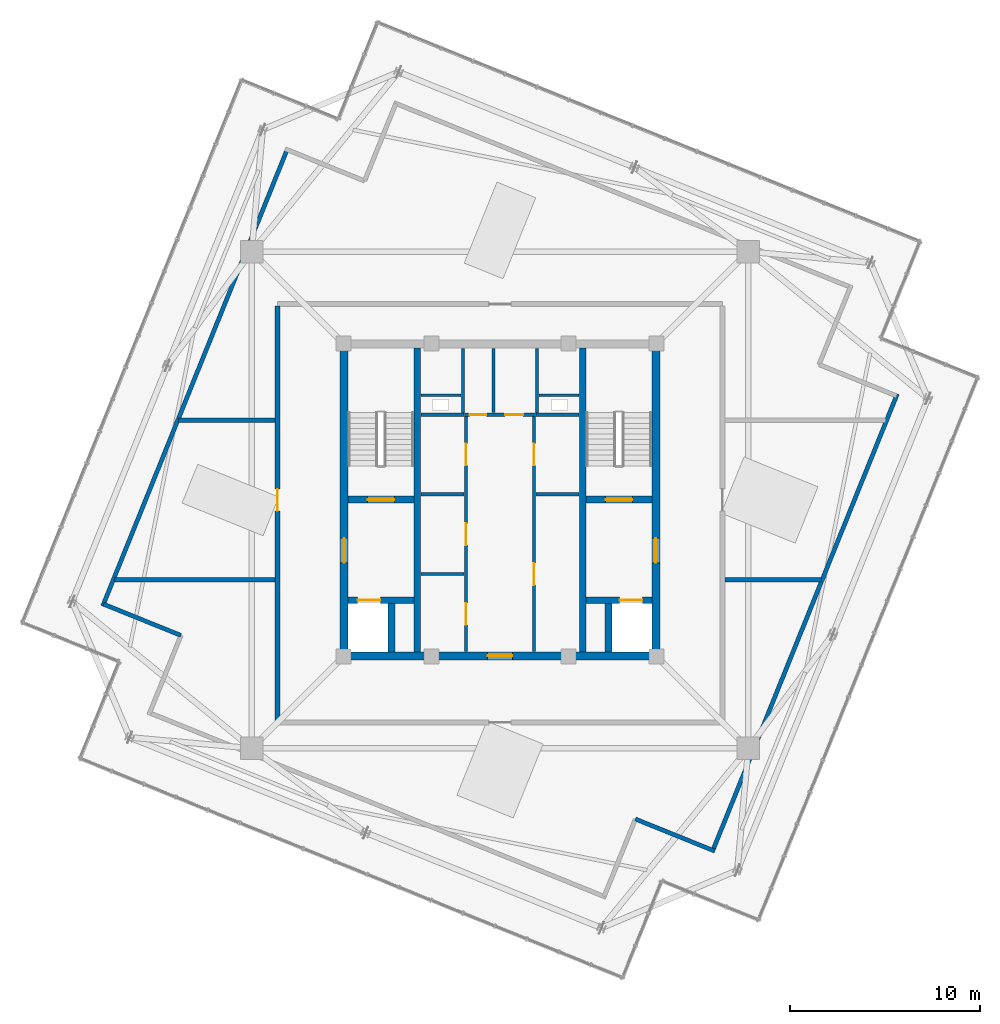
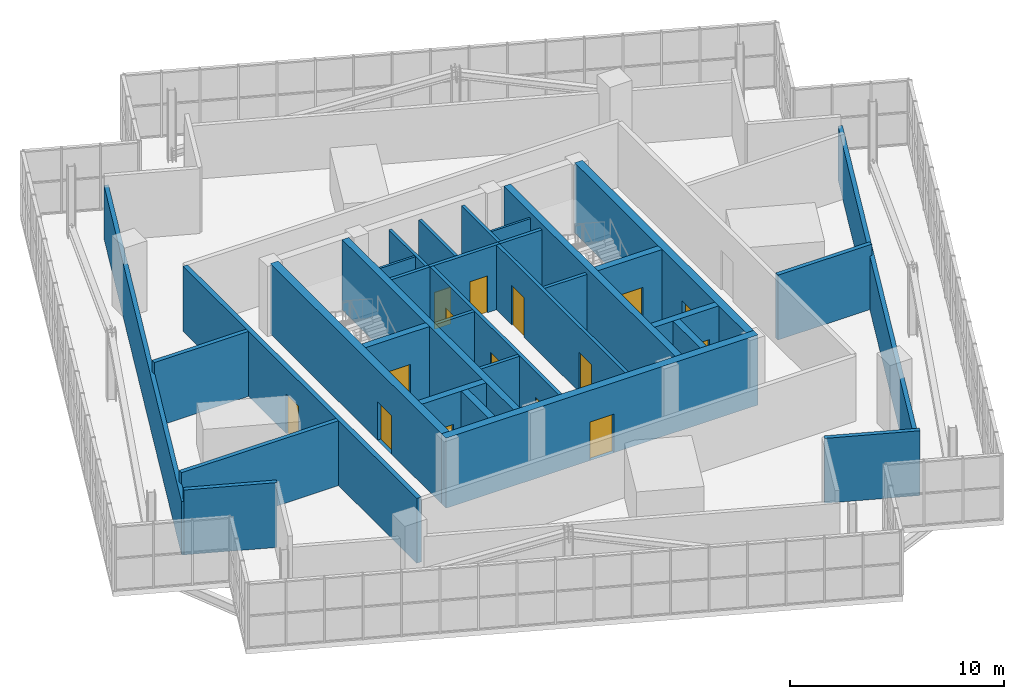
# One storey, part 23 of 26: 32 walls, 15 doors, 15 openings.
"""IFC4 building model written with IfcOpenShell, lengths in metres."""

from ifc_helpers import new_model, si_unit, direction, frame, frame_2d, origin, place, context, subcontext, project, spatial, rectangle, extrude, source, transform, mapped, material, layer, layer_set, type_object, element, fill, save


model = new_model("IFC4")

# Units and contexts
model_context = context("Model", 3, precision=1e-05, world=origin(), true_north=direction((0.0, 1.0)))
body_context = subcontext(model_context, "Body", "Model", "MODEL_VIEW")
ifc_project = project(units=[si_unit("LENGTHUNIT", "METRE"), si_unit("AREAUNIT", "SQUARE_METRE"), si_unit("VOLUMEUNIT", "CUBIC_METRE"), si_unit("PLANEANGLEUNIT", "RADIAN"), si_unit("MASSUNIT", "GRAM", prefix="KILO"), si_unit("THERMODYNAMICTEMPERATUREUNIT", "KELVIN")], contexts=[model_context])

# Site, building, storey
site_placement = place(None, origin())
site = spatial("IfcSite", under=ifc_project, at=site_placement, CompositionType="ELEMENT")
building_placement = place(site_placement, origin())
building = spatial("IfcBuilding", under=site, at=building_placement, Name="Kosmvard Interchange Tower", CompositionType="ELEMENT")
storey_placement = place(building_placement, frame((0.0, 0.0, 337.60009765625)))
storey = spatial("IfcBuildingStorey", under=building, at=storey_placement, Name="L83", CompositionType="ELEMENT", Elevation=337.60009765625)

# Walls
ifc_material_1 = material(Name="Fire-rated gypsum partition system")
ifc_layer_1 = layer(ifc_material_1, 0.159912109375, Name="Fire-rated gypsum partition system")
ifc_layer_set_1 = layer_set([ifc_layer_1], Name="Fire-rated gypsum partition system")
wall_type_1 = type_object("IfcWallType", Name="Core Compartment & Shuttle Lobby Partition 160", PredefinedType="PARTITIONING", material=ifc_layer_set_1)
for number, where, z_axis, x_axis, name in (
    (1, (-1.9599609375, 4.580078125, 0.0), (0.0, 0.0, 1.0), (0.0, 1.0, 0.0), "L83 North Core West Wall"),
    (2, (1.9599609375, 4.580078125, 0.0), (0.0, 0.0, 1.0), (0.0, 1.0, 0.0), "L83 North Core East Wall"),
):
    element("IfcWall", number, at=place(storey_placement, frame(where, z_axis=z_axis, x_axis=x_axis)), inside=storey, type_object=wall_type_1, Name=name, PredefinedType="PARTITIONING", context=body_context, shape_type="SweptSolid", body=[
        extrude(rectangle(XDim=3.39990234375, YDim=0.159912109375, at=frame_2d((1.699951171875, 0.0))), origin(), (0.0, 0.0, 1.0), 3.699951171875),
    ])
ifc_material_2 = material(Name="Concrete blockwork masonry", Category="masonry")
ifc_layer_2 = layer(ifc_material_2, 0.159912109375, Name="Concrete blockwork masonry")
ifc_layer_set_2 = layer_set([ifc_layer_2], Name="Concrete blockwork masonry")
wall_type_2 = type_object("IfcWallType", Name="Core Enclosure Split Wall 160", PredefinedType="PARTITIONING", material=ifc_layer_set_2)
wall_1_placement = place(storey_placement, frame((-0.35009765625, 4.60009765625, 0.0), z_axis=(0.0, 0.0, 1.0), x_axis=(0.0, 1.0, 0.0)))
element("IfcWall", 3, at=wall_1_placement, inside=storey, type_object=wall_type_2, Name="L83 Core K2 Split Wall", PredefinedType="PARTITIONING", context=body_context, shape_type="SweptSolid", body=[
    extrude(rectangle(XDim=3.3798828125, YDim=0.159912109375, at=frame_2d((1.68994140625, 0.0))), origin(), (0.0, 0.0, 1.0), 3.699951171875),
])

# Wall, openings, doors
ifc_layer_3 = layer(ifc_material_1, 0.179931640625, Name="Fire-rated gypsum partition system")
ifc_layer_set_3 = layer_set([ifc_layer_3], Name="Fire-rated gypsum partition system")
wall_type_3 = type_object("IfcWallType", Name="Corridor & Hotel Compartment Partition 180", PredefinedType="PARTITIONING", material=ifc_layer_set_3)
wall_2_placement = place(storey_placement, frame((-1.7900390625, -7.97998046875, 0.0), z_axis=(0.0, 0.0, 1.0), x_axis=(0.0, 1.0, 0.0)))
wall_2 = element("IfcWall", 4, at=wall_2_placement, inside=storey, type_object=wall_type_3, Name="L83 West Lift Bank Front Wall", PredefinedType="PARTITIONING", context=body_context, shape_type="SweptSolid", body=[
    extrude(rectangle(XDim=12.3798828125, YDim=0.179931640625, at=frame_2d((6.18994140625, 0.0))), origin(), (0.0, 0.0, 1.0), 3.699951171875),
])
opening_1_placement = place(wall_2_placement, frame((1.39990234375, 0.0, 0.0)))
opening_1 = element("IfcOpeningElement", 5, at=opening_1_placement, cuts=wall_2, Name="Opening L83-CD1", PredefinedType="OPENING", context=body_context, shape_type="SweptSolid", body=[
    extrude(rectangle(XDim=1.14990234375, YDim=2.25, at=frame_2d((0.574951171875, 1.125))), frame((0.0, 0.10009765625, 0.0), z_axis=(0.0, -1.0, 0.0), x_axis=(1.0, 0.0, 0.0)), (0.0, 0.0, 1.0), 0.199951171875),
])
opening_2_placement = place(wall_2_placement, frame((5.60009765625, 0.0, 0.0)))
opening_2 = element("IfcOpeningElement", 6, at=opening_2_placement, cuts=wall_2, Name="Opening L83-CD2", PredefinedType="OPENING", context=body_context, shape_type="SweptSolid", body=[
    extrude(rectangle(XDim=1.14990234375, YDim=2.25, at=frame_2d((0.574951171875, 1.125))), frame((0.0, 0.10009765625, 0.0), z_axis=(0.0, -1.0, 0.0), x_axis=(1.0, 0.0, 0.0)), (0.0, 0.0, 1.0), 0.199951171875),
])
opening_3_placement = place(wall_2_placement, frame((9.800048828125, 0.0, 0.0)))
opening_3 = element("IfcOpeningElement", 7, at=opening_3_placement, cuts=wall_2, Name="Opening L83-CD7", PredefinedType="OPENING", context=body_context, shape_type="SweptSolid", body=[
    extrude(rectangle(XDim=1.14990234375, YDim=2.25, at=frame_2d((0.574951171875, 1.125))), frame((0.0, 0.10009765625, 0.0), z_axis=(0.0, -1.0, 0.0), x_axis=(1.0, 0.0, 0.0)), (0.0, 0.0, 1.0), 0.199951171875),
])
ifc_material_3 = material(Name="Painted fire-rated steel leaf", Category="steel")
door_type_1 = type_object("IfcDoorType", Name="Plant & Riser Fire Door 1150x2250 EI60", OperationType="NOTDEFINED", PredefinedType="DOOR", material=ifc_material_3)
shared_shape_1 = source(origin(), body_context, "Body", "SweptSolid", [
    extrude(rectangle(XDim=1.14990234375, YDim=2.25, at=frame_2d((0.574951171875, 1.125))), frame((0.0, 0.02490234375, 0.0), z_axis=(0.0, -1.0, 0.0), x_axis=(1.0, 0.0, 0.0)), (0.0, 0.0, 1.0), 0.050048828125),
])
door_1_placement = place(opening_1_placement, origin())
door_1 = element("IfcDoor", 8, at=door_1_placement, inside=storey, type_object=door_type_1, Name="L83 Core Archive Door", OperationType="SINGLE_SWING_LEFT", OverallHeight=2.25, OverallWidth=1.14990234375, PredefinedType="DOOR", context=body_context, shape_type="MappedRepresentation", body=[
    mapped(shared_shape_1, transform((0.0, 0.0, 0.0), scale=1.0)),
])
fill(opening_1, door_1)
door_2_placement = place(opening_2_placement, origin())
door_2 = element("IfcDoor", 9, at=door_2_placement, inside=storey, type_object=door_type_1, Name="L83 Mid Core Housekeeping Door", OperationType="SINGLE_SWING_RIGHT", OverallHeight=2.25, OverallWidth=1.14990234375, PredefinedType="DOOR", context=body_context, shape_type="MappedRepresentation", body=[
    mapped(shared_shape_1, transform((0.0, 0.0, 0.0), scale=1.0)),
])
fill(opening_2, door_2)
door_3_placement = place(opening_3_placement, origin())
door_3 = element("IfcDoor", 10, at=door_3_placement, inside=storey, type_object=door_type_1, Name="L83 Crown Core West Door", OperationType="SINGLE_SWING_LEFT", OverallHeight=2.25, OverallWidth=1.14990234375, PredefinedType="DOOR", context=body_context, shape_type="MappedRepresentation", body=[
    mapped(shared_shape_1, transform((0.0, 0.0, 0.0), scale=1.0)),
])
fill(opening_3, door_3)

wall_3_placement = place(storey_placement, frame((1.7900390625, -7.97998046875, 0.0), z_axis=(0.0, 0.0, 1.0), x_axis=(0.0, 1.0, 0.0)))
wall_3 = element("IfcWall", 11, at=wall_3_placement, inside=storey, type_object=wall_type_3, Name="L83 East Lift Bank Front Wall", PredefinedType="PARTITIONING", context=body_context, shape_type="SweptSolid", body=[
    extrude(rectangle(XDim=12.3798828125, YDim=0.179931640625, at=frame_2d((6.18994140625, 0.0))), origin(), (0.0, 0.0, 1.0), 3.699951171875),
])
opening_4_placement = place(wall_3_placement, frame((3.5, 0.0, 0.0)))
opening_4 = element("IfcOpeningElement", 12, at=opening_4_placement, cuts=wall_3, Name="Opening L83-CD3", PredefinedType="OPENING", context=body_context, shape_type="SweptSolid", body=[
    extrude(rectangle(XDim=1.14990234375, YDim=2.25, at=frame_2d((0.574951171875, 1.125))), frame((0.0, 0.10009765625, 0.0), z_axis=(0.0, -1.0, 0.0), x_axis=(1.0, 0.0, 0.0)), (0.0, 0.0, 1.0), 0.199951171875),
])
opening_5_placement = place(wall_3_placement, frame((9.800048828125, 0.0, 0.0)))
opening_5 = element("IfcOpeningElement", 13, at=opening_5_placement, cuts=wall_3, Name="Opening L83-CD8", PredefinedType="OPENING", context=body_context, shape_type="SweptSolid", body=[
    extrude(rectangle(XDim=1.14990234375, YDim=2.25, at=frame_2d((0.574951171875, 1.125))), frame((0.0, 0.10009765625, 0.0), z_axis=(0.0, -1.0, 0.0), x_axis=(1.0, 0.0, 0.0)), (0.0, 0.0, 1.0), 0.199951171875),
])
door_4_placement = place(opening_4_placement, frame((1.14990234375, 0.0, 0.0), z_axis=(0.0, 0.0, 1.0), x_axis=(-1.0, 0.0, 0.0)))
door_4 = element("IfcDoor", 14, at=door_4_placement, inside=storey, type_object=door_type_1, Name="L83 Core Data Switch Door", OperationType="SINGLE_SWING_LEFT", OverallHeight=2.25, OverallWidth=1.14990234375, PredefinedType="DOOR", context=body_context, shape_type="MappedRepresentation", body=[
    mapped(shared_shape_1, transform((0.0, 0.0, 0.0), scale=1.0)),
])
fill(opening_4, door_4)
door_5_placement = place(opening_5_placement, frame((1.14990234375, 0.0, 0.0), z_axis=(0.0, 0.0, 1.0), x_axis=(-1.0, 0.0, 0.0)))
door_5 = element("IfcDoor", 15, at=door_5_placement, inside=storey, type_object=door_type_1, Name="L83 Crown Core East Door", OperationType="SINGLE_SWING_RIGHT", OverallHeight=2.25, OverallWidth=1.14990234375, PredefinedType="DOOR", context=body_context, shape_type="MappedRepresentation", body=[
    mapped(shared_shape_1, transform((0.0, 0.0, 0.0), scale=1.0)),
])
fill(opening_5, door_5)

wall_4_placement = place(storey_placement, frame((-1.8798828125, 4.489990234375, 0.0), z_axis=(0.0, 0.0, 1.0), x_axis=(1.0, 0.0, 0.0)))
wall_4 = element("IfcWall", 16, at=wall_4_placement, inside=storey, type_object=wall_type_3, Name="L83 Lift Lobby North Partition", PredefinedType="PARTITIONING", context=body_context, shape_type="SweptSolid", body=[
    extrude(rectangle(XDim=3.759765625, YDim=0.179931640625, at=frame_2d((1.8798828125, 0.0))), origin(), (0.0, 0.0, 1.0), 3.699951171875),
])
opening_6_placement = place(wall_4_placement, frame((0.280029296875, 0.0, 0.0)))
opening_6 = element("IfcOpeningElement", 17, at=opening_6_placement, cuts=wall_4, Name="Opening L83-KD1", PredefinedType="OPENING", context=body_context, shape_type="SweptSolid", body=[
    extrude(rectangle(XDim=0.8798828125, YDim=2.10009765625, at=frame_2d((0.43994140625, 1.050048828125))), frame((0.0, 0.10009765625, 0.0), z_axis=(0.0, -1.0, 0.0), x_axis=(1.0, 0.0, 0.0)), (0.0, 0.0, 1.0), 0.199951171875),
])
opening_7_placement = place(wall_4_placement, frame((2.14990234375, 0.0, 0.0)))
opening_7 = element("IfcOpeningElement", 18, at=opening_7_placement, cuts=wall_4, Name="Opening L83-KD2", PredefinedType="OPENING", context=body_context, shape_type="SweptSolid", body=[
    extrude(rectangle(XDim=0.949951171875, YDim=2.10009765625, at=frame_2d((0.47509765625, 1.050048828125))), frame((0.0, 0.10009765625, 0.0), z_axis=(0.0, -1.0, 0.0), x_axis=(1.0, 0.0, 0.0)), (0.0, 0.0, 1.0), 0.199951171875),
])
ifc_material_4 = material(Name="Painted fire-rated timber leaf", Category="wood")
door_type_2 = type_object("IfcDoorType", Name="Core Service Fire Door 950x2100 EI30", OperationType="NOTDEFINED", PredefinedType="DOOR", material=ifc_material_4)
shared_shape_2 = source(origin(), body_context, "Body", "SweptSolid", [
    extrude(rectangle(XDim=0.949951171875, YDim=2.10009765625, at=frame_2d((0.47509765625, 1.050048828125))), frame((0.0, 0.02490234375, 0.0), z_axis=(0.0, -1.0, 0.0), x_axis=(1.0, 0.0, 0.0)), (0.0, 0.0, 1.0), 0.050048828125),
])
door_6_placement = place(opening_7_placement, origin())
door_6 = element("IfcDoor", 19, at=door_6_placement, inside=storey, type_object=door_type_2, Name="L83 Core Tea Pantry Door", OperationType="SINGLE_SWING_RIGHT", OverallHeight=2.10009765625, OverallWidth=0.949951171875, PredefinedType="DOOR", context=body_context, shape_type="MappedRepresentation", body=[
    mapped(shared_shape_2, transform((0.0, 0.0, 0.0), scale=1.0)),
])
fill(opening_7, door_6)
door_type_3 = type_object("IfcDoorType", Name="Core Cupboard Fire Door 880x2100 EI30", OperationType="NOTDEFINED", PredefinedType="DOOR", material=ifc_material_4)
shared_shape_3 = source(origin(), body_context, "Body", "SweptSolid", [
    extrude(rectangle(XDim=0.8798828125, YDim=2.10009765625, at=frame_2d((0.43994140625, 1.050048828125))), frame((0.0, 0.02490234375, 0.0), z_axis=(0.0, -1.0, 0.0), x_axis=(1.0, 0.0, 0.0)), (0.0, 0.0, 1.0), 0.050048828125),
])
door_7_placement = place(opening_6_placement, origin())
door_7 = element("IfcDoor", 20, at=door_7_placement, inside=storey, type_object=door_type_3, Name="L83 Core Cleaner Cupboard Door", OperationType="SINGLE_SWING_LEFT", OverallHeight=2.10009765625, OverallWidth=0.8798828125, PredefinedType="DOOR", context=body_context, shape_type="MappedRepresentation", body=[
    mapped(shared_shape_3, transform((0.0, 0.0, 0.0), scale=1.0)),
])
fill(opening_6, door_7)

# Wall, opening, door
ifc_material_5 = material(Name="Concrete C50/60", Category="concrete")
ifc_layer_4 = layer(ifc_material_5, 0.419921875, Name="Concrete C50/60")
ifc_layer_set_4 = layer_set([ifc_layer_4], Name="Concrete C50/60")
wall_type_4 = type_object("IfcWallType", Name="Crown Core Shear Wall 420 C50/60", PredefinedType="SHEAR", material=ifc_layer_set_4)
wall_5_placement = place(storey_placement, frame((-8.419921875, -8.2099609375, 0.0), z_axis=(0.0, 0.0, 1.0), x_axis=(1.0, 0.0, 0.0)))
wall_5 = element("IfcWall", 21, at=wall_5_placement, inside=storey, type_object=wall_type_4, Name="L83 Core Shear Wall CW-S", PredefinedType="SHEAR", context=body_context, shape_type="SweptSolid", body=[
    extrude(rectangle(XDim=16.83984375, YDim=0.419921875, at=frame_2d((8.419921875, 0.0))), origin(), (0.0, 0.0, 1.0), 4.0),
])
opening_8_placement = place(wall_5_placement, frame((7.77001953125, 0.0, 0.0)))
opening_8 = element("IfcOpeningElement", 22, at=opening_8_placement, cuts=wall_5, Name="Opening L83-LD0", PredefinedType="OPENING", context=body_context, shape_type="SweptSolid", body=[
    extrude(rectangle(XDim=1.300048828125, YDim=2.199951171875, at=frame_2d((0.64990234375, 1.10009765625))), frame((0.0, 0.219970703125, 0.0), z_axis=(0.0, -1.0, 0.0), x_axis=(1.0, 0.0, 0.0)), (0.0, 0.0, 1.0), 0.43994140625),
])
door_type_4 = type_object("IfcDoorType", Name="Firefighting Lobby Door 1300x2200 EI60", OperationType="NOTDEFINED", PredefinedType="DOOR", material=ifc_material_3)
shared_shape_4 = source(origin(), body_context, "Body", "SweptSolid", [
    extrude(rectangle(XDim=1.300048828125, YDim=2.199951171875, at=frame_2d((0.64990234375, 1.10009765625))), frame((0.0, 0.02490234375, 0.0), z_axis=(0.0, -1.0, 0.0), x_axis=(1.0, 0.0, 0.0)), (0.0, 0.0, 1.0), 0.050048828125),
])
door_8_placement = place(opening_8_placement, frame((1.300048828125, 0.0, 0.0), z_axis=(0.0, 0.0, 1.0), x_axis=(-1.0, 0.0, 0.0)))
door_8 = element("IfcDoor", 23, at=door_8_placement, inside=storey, type_object=door_type_4, Name="L83 Passenger Lift Lobby South Door", OperationType="SINGLE_SWING_LEFT", OverallHeight=2.199951171875, OverallWidth=1.300048828125, PredefinedType="DOOR", context=body_context, shape_type="MappedRepresentation", body=[
    mapped(shared_shape_4, transform((0.0, 0.0, 0.0), scale=1.0)),
])
fill(opening_8, door_8)

wall_6_placement = place(storey_placement, frame((-8.2099609375, -8.0, 0.0), z_axis=(0.0, 0.0, 1.0), x_axis=(0.0, 1.0, 0.0)))
wall_6 = element("IfcWall", 24, at=wall_6_placement, inside=storey, type_object=wall_type_4, Name="L83 Core Shear Wall CW-W", PredefinedType="SHEAR", context=body_context, shape_type="SweptSolid", body=[
    extrude(rectangle(XDim=16.0, YDim=0.419921875, at=frame_2d((8.0, 0.0))), origin(), (0.0, 0.0, 1.0), 4.0),
])
opening_9_placement = place(wall_6_placement, frame((4.68994140625, 0.0, 0.0)))
opening_9 = element("IfcOpeningElement", 25, at=opening_9_placement, cuts=wall_6, Name="Opening L83-FD1", PredefinedType="OPENING", context=body_context, shape_type="SweptSolid", body=[
    extrude(rectangle(XDim=1.300048828125, YDim=2.199951171875, at=frame_2d((0.64990234375, 1.10009765625))), frame((0.0, 0.219970703125, 0.0), z_axis=(0.0, -1.0, 0.0), x_axis=(1.0, 0.0, 0.0)), (0.0, 0.0, 1.0), 0.43994140625),
])
door_9_placement = place(opening_9_placement, frame((1.300048828125, 0.0, 0.0), z_axis=(0.0, 0.0, 1.0), x_axis=(-1.0, 0.0, 0.0)))
door_9 = element("IfcDoor", 26, at=door_9_placement, inside=storey, type_object=door_type_4, Name="L83 Firefighting Lobby West Door", OperationType="SINGLE_SWING_LEFT", OverallHeight=2.199951171875, OverallWidth=1.300048828125, PredefinedType="DOOR", context=body_context, shape_type="MappedRepresentation", body=[
    mapped(shared_shape_4, transform((0.0, 0.0, 0.0), scale=1.0)),
])
fill(opening_9, door_9)

wall_7_placement = place(storey_placement, frame((8.2099609375, -8.0, 0.0), z_axis=(0.0, 0.0, 1.0), x_axis=(0.0, 1.0, 0.0)))
wall_7 = element("IfcWall", 27, at=wall_7_placement, inside=storey, type_object=wall_type_4, Name="L83 Core Shear Wall CW-E", PredefinedType="SHEAR", context=body_context, shape_type="SweptSolid", body=[
    extrude(rectangle(XDim=16.0, YDim=0.419921875, at=frame_2d((8.0, 0.0))), origin(), (0.0, 0.0, 1.0), 4.0),
])
opening_10_placement = place(wall_7_placement, frame((4.68994140625, 0.0, 0.0)))
opening_10 = element("IfcOpeningElement", 28, at=opening_10_placement, cuts=wall_7, Name="Opening L83-FD2", PredefinedType="OPENING", context=body_context, shape_type="SweptSolid", body=[
    extrude(rectangle(XDim=1.300048828125, YDim=2.199951171875, at=frame_2d((0.64990234375, 1.10009765625))), frame((0.0, 0.219970703125, 0.0), z_axis=(0.0, -1.0, 0.0), x_axis=(1.0, 0.0, 0.0)), (0.0, 0.0, 1.0), 0.43994140625),
])
door_10_placement = place(opening_10_placement, origin())
door_10 = element("IfcDoor", 29, at=door_10_placement, inside=storey, type_object=door_type_4, Name="L83 Firefighting Lobby East Door", OperationType="SINGLE_SWING_RIGHT", OverallHeight=2.199951171875, OverallWidth=1.300048828125, PredefinedType="DOOR", context=body_context, shape_type="MappedRepresentation", body=[
    mapped(shared_shape_4, transform((0.0, 0.0, 0.0), scale=1.0)),
])
fill(opening_10, door_10)

ifc_layer_5 = layer(ifc_material_2, 0.25, Name="Concrete blockwork masonry")
ifc_layer_set_5 = layer_set([ifc_layer_5], Name="Concrete blockwork masonry")
wall_type_5 = type_object("IfcWallType", Name="Exit Passage & Firefighting Lobby Wall 250", PredefinedType="PARTITIONING", material=ifc_layer_set_5)
wall_8_placement = place(storey_placement, frame((-11.719970703125, -11.6201171875, 0.0), z_axis=(0.0, 0.0, 1.0), x_axis=(0.0, 1.0, 0.0)))
wall_8 = element("IfcWall", 30, at=wall_8_placement, inside=storey, type_object=wall_type_5, Name="L83 Corridor Wall CW", PredefinedType="PARTITIONING", context=body_context, shape_type="SweptSolid", body=[
    extrude(rectangle(XDim=21.840087890625, YDim=0.25, at=frame_2d((10.919921875, 0.0))), origin(), (0.0, 0.0, 1.0), 3.699951171875),
])
opening_11_placement = place(wall_8_placement, frame((11.044921875, 0.0, 0.0)))
opening_11 = element("IfcOpeningElement", 31, at=opening_11_placement, cuts=wall_8, Name="Opening L83-D04", PredefinedType="OPENING", context=body_context, shape_type="SweptSolid", body=[
    extrude(rectangle(XDim=1.14990234375, YDim=2.25, at=frame_2d((0.574951171875, 1.125))), frame((0.0, 0.135009765625, 0.0), z_axis=(0.0, -1.0, 0.0), x_axis=(1.0, 0.0, 0.0)), (0.0, 0.0, 1.0), 0.27001953125),
])
door_11_placement = place(opening_11_placement, origin())
door_11 = element("IfcDoor", 32, at=door_11_placement, inside=storey, type_object=door_type_1, Name="L83 Aviation Beacon Telemetry Plant Room Door", OperationType="SINGLE_SWING_RIGHT", OverallHeight=2.25, OverallWidth=1.14990234375, PredefinedType="DOOR", context=body_context, shape_type="MappedRepresentation", body=[
    mapped(shared_shape_1, transform((0.0, 0.0, 0.0), scale=1.0)),
])
fill(opening_11, door_11)

# Walls
ifc_layer_6 = layer(ifc_material_2, 0.179931640625, Name="Concrete blockwork masonry")
ifc_layer_set_6 = layer_set([ifc_layer_6], Name="Concrete blockwork masonry")
wall_type_6 = type_object("IfcWallType", Name="Riser & Lift Bank Divider Wall 180", PredefinedType="PARTITIONING", material=ifc_layer_set_6)
for number, where, z_axis, x_axis, name in (
    (33, (-4.169921875, -3.89990234375, 0.0), (0.0, 0.0, 1.0), (1.0, 0.0, 0.0), "L83 West Bank Divider BD1"),
    (34, (-4.169921875, 0.300048828125, 0.0), (0.0, 0.0, 1.0), (1.0, 0.0, 0.0), "L83 West Bank Divider BD2"),
    (35, (1.889892578125, 0.300048828125, 0.0), (0.0, 0.0, 1.0), (1.0, 0.0, 0.0), "L83 East Bank Divider BD2"),
    (36, (-4.169921875, 4.489990234375, 0.0), (0.0, 0.0, 1.0), (1.0, 0.0, 0.0), "L83 West Bank Divider BD3"),
    (37, (1.889892578125, 4.489990234375, 0.0), (0.0, 0.0, 1.0), (1.0, 0.0, 0.0), "L83 East Bank Divider BD3"),
):
    element("IfcWall", number, at=place(storey_placement, frame(where, z_axis=z_axis, x_axis=x_axis)), inside=storey, type_object=wall_type_6, Name=name, PredefinedType="PARTITIONING", context=body_context, shape_type="SweptSolid", body=[
        extrude(rectangle(XDim=2.280029296875, YDim=0.179931640625, at=frame_2d((1.14013671875, 0.0))), origin(), (0.0, 0.0, 1.0), 3.699951171875),
    ])
ifc_layer_7 = layer(ifc_material_2, 0.219970703125, Name="Concrete blockwork masonry")
ifc_layer_set_7 = layer_set([ifc_layer_7], Name="Concrete blockwork masonry")
wall_type_7 = type_object("IfcWallType", Name="Riser & Plant Enclosure Wall 220", PredefinedType="PARTITIONING", material=ifc_layer_set_7)
for number, where, z_axis, x_axis, name in (
    (38, (11.172119140625, -18.556396484375, 0.0), (0.0, 0.0, 1.0), (0.374611707018, 0.927181788521, 0.0), "L83 Crown Plant Enclosure Wall S"),
    (39, (-11.172119140625, 18.556396484375, 0.0), (0.0, 0.0, 1.0), (-0.374611707018, -0.927181788521, 0.0), "L83 Crown Plant Enclosure Wall N"),
):
    element("IfcWall", number, at=place(storey_placement, frame(where, z_axis=z_axis, x_axis=x_axis)), inside=storey, type_object=wall_type_7, Name=name, PredefinedType="PARTITIONING", context=body_context, shape_type="SweptSolid", body=[
        extrude(rectangle(XDim=26.0400390625, YDim=0.219970703125, at=frame_2d((13.02001953125, 0.0))), origin(), (0.0, 0.0, 1.0), 3.0498046875),
    ])
wall_9_placement = place(storey_placement, frame((-20.8857421875, -5.485595703125, 0.0), z_axis=(0.0, 0.0, 1.0), x_axis=(0.927189216671, -0.374593321469, 0.0)))
element("IfcWall", 40, at=wall_9_placement, inside=storey, type_object=wall_type_7, Name="L83 Crown Plant Enclosure Wall NW1", PredefinedType="PARTITIONING", context=body_context, shape_type="SweptSolid", body=[
    extrude(rectangle(XDim=4.39990234375, YDim=0.219970703125, at=frame_2d((2.199951171875, 0.0))), origin(), (0.0, 0.0, 1.0), 3.699951171875),
])
wall_10_placement = place(storey_placement, frame((7.1337890625, -16.80615234375, 0.0), z_axis=(0.0, 0.0, 1.0), x_axis=(0.927186885331, -0.374599091925, 0.0)))
element("IfcWall", 41, at=wall_10_placement, inside=storey, type_object=wall_type_7, Name="L83 Crown Plant Enclosure Wall SW2", PredefinedType="PARTITIONING", context=body_context, shape_type="SweptSolid", body=[
    extrude(rectangle(XDim=4.510009765625, YDim=0.219970703125, at=frame_2d((2.2548828125, 0.0))), origin(), (0.0, 0.0, 1.0), 3.699951171875),
])
for number, where, z_axis, x_axis, name in (
    (42, (-11.85009765625, 4.199951171875, 0.0), (0.0, 0.0, 1.0), (-1.0, 0.0, 0.0), "L83 Room Partition 02.1"),
    (43, (11.85009765625, -4.199951171875, 0.0), (0.0, 0.0, 1.0), (1.0, 0.0, 0.0), "L83 Room Partition 03.1"),
):
    element("IfcWall", number, at=place(storey_placement, frame(where, z_axis=z_axis, x_axis=x_axis)), inside=storey, type_object=wall_type_7, Name=name, PredefinedType="PARTITIONING", context=body_context, shape_type="SweptSolid", body=[
        extrude(rectangle(XDim=5.073974609375, YDim=0.219970703125, at=frame_2d((2.537109375, 0.0))), origin(), (0.0, 0.0, 1.0), 3.699951171875),
    ])
wall_11_placement = place(storey_placement, frame((-11.85009765625, -4.199951171875, 0.0), z_axis=(0.0, 0.0, 1.0), x_axis=(-1.0, 0.0, 0.0)))
element("IfcWall", 44, at=wall_11_placement, inside=storey, type_object=wall_type_7, Name="L83 Room Partition 04.1", PredefinedType="PARTITIONING", context=body_context, shape_type="SweptSolid", body=[
    extrude(rectangle(XDim=8.4677734375, YDim=0.219970703125, at=frame_2d((4.23388671875, 0.0))), origin(), (0.0, 0.0, 1.0), 3.699951171875),
])
ifc_material_6 = material(Name="Fire-rated gypsum shaftwall system")
ifc_layer_8 = layer(ifc_material_6, 0.1201171875, Name="Fire-rated gypsum shaftwall system")
ifc_layer_set_8 = layer_set([ifc_layer_8], Name="Fire-rated gypsum shaftwall system")
wall_type_8 = type_object("IfcWallType", Name="Shaft & Riser Fire Partition 120 EI60", PredefinedType="PARTITIONING", material=ifc_layer_set_8)
for number, where, z_axis, x_axis, name in (
    (45, (-4.159912109375, 5.52001953125, 0.0), (0.0, 0.0, 1.0), (1.0, 0.0, 0.0), "L83 Riser Shaft Divider W"),
    (46, (2.06005859375, 5.52001953125, 0.0), (0.0, 0.0, 1.0), (1.0, 0.0, 0.0), "L83 Riser Shaft Divider E"),
):
    element("IfcWall", number, at=place(storey_placement, frame(where, z_axis=z_axis, x_axis=x_axis)), inside=storey, type_object=wall_type_8, Name=name, PredefinedType="PARTITIONING", context=body_context, shape_type="SweptSolid", body=[
        extrude(rectangle(XDim=2.099853515625, YDim=0.1201171875, at=frame_2d((1.0498046875, 0.0))), origin(), (0.0, 0.0, 1.0), 3.699951171875),
    ])
ifc_material_7 = material(Name="Concrete C60/75", Category="concrete")
ifc_layer_9 = layer(ifc_material_7, 0.360107421875, Name="Concrete C60/75")
ifc_layer_set_9 = layer_set([ifc_layer_9], Name="Concrete C60/75")
wall_type_9 = type_object("IfcWallType", Name="Stair & Lift Shaft Shear Wall 360 C60/75", PredefinedType="SHEAR", material=ifc_layer_set_9)
for number, where, z_axis, x_axis, name in (
    (47, (-4.360107421875, -8.0, 0.0), (0.0, 0.0, 1.0), (0.0, 1.0, 0.0), "L83 Shaft Shear Wall SW-W"),
    (48, (4.360107421875, -8.0, 0.0), (0.0, 0.0, 1.0), (0.0, 1.0, 0.0), "L83 Shaft Shear Wall SW-E"),
):
    element("IfcWall", number, at=place(storey_placement, frame(where, z_axis=z_axis, x_axis=x_axis)), inside=storey, type_object=wall_type_9, Name=name, PredefinedType="SHEAR", context=body_context, shape_type="SweptSolid", body=[
        extrude(rectangle(XDim=16.0, YDim=0.360107421875, at=frame_2d((8.0, 0.0))), origin(), (0.0, 0.0, 1.0), 4.0),
    ])

# Wall, opening, door
wall_12_placement = place(storey_placement, frame((-8.0, 0.02001953125, 0.0), z_axis=(0.0, 0.0, 1.0), x_axis=(1.0, 0.0, 0.0)))
wall_12 = element("IfcWall", 49, at=wall_12_placement, inside=storey, type_object=wall_type_9, Name="L83 Shaft Shear Wall SW-ST1", PredefinedType="SHEAR", context=body_context, shape_type="SweptSolid", body=[
    extrude(rectangle(XDim=3.4599609375, YDim=0.360107421875, at=frame_2d((1.72998046875, 0.0))), origin(), (0.0, 0.0, 1.0), 4.0),
])
opening_12_placement = place(wall_12_placement, frame((1.030029296875, 0.0, 0.0)))
opening_12 = element("IfcOpeningElement", 50, at=opening_12_placement, cuts=wall_12, Name="Opening L83-SD1", PredefinedType="OPENING", context=body_context, shape_type="SweptSolid", body=[
    extrude(rectangle(XDim=1.39990234375, YDim=2.199951171875, at=frame_2d((0.699951171875, 1.10009765625))), frame((0.0, 0.18994140625, 0.0), z_axis=(0.0, -1.0, 0.0), x_axis=(1.0, 0.0, 0.0)), (0.0, 0.0, 1.0), 0.380126953125),
])
door_type_5 = type_object("IfcDoorType", Name="Protected Stair Door 1400x2200 FD60S", OperationType="NOTDEFINED", PredefinedType="DOOR", material=ifc_material_3)
shared_shape_5 = source(origin(), body_context, "Body", "SweptSolid", [
    extrude(rectangle(XDim=1.39990234375, YDim=2.199951171875, at=frame_2d((0.699951171875, 1.10009765625))), frame((0.0, 0.02490234375, 0.0), z_axis=(0.0, -1.0, 0.0), x_axis=(1.0, 0.0, 0.0)), (0.0, 0.0, 1.0), 0.050048828125),
])
door_12_placement = place(opening_12_placement, origin())
door_12 = element("IfcDoor", 51, at=door_12_placement, inside=storey, type_object=door_type_5, Name="L83 Stair ST-1 Enclosure Door", OperationType="SINGLE_SWING_LEFT", OverallHeight=2.199951171875, OverallWidth=1.39990234375, PredefinedType="DOOR", context=body_context, shape_type="MappedRepresentation", body=[
    mapped(shared_shape_5, transform((0.0, 0.0, 0.0), scale=1.0)),
])
fill(opening_12, door_12)

wall_13_placement = place(storey_placement, frame((4.5400390625, 0.02001953125, 0.0), z_axis=(0.0, 0.0, 1.0), x_axis=(1.0, 0.0, 0.0)))
wall_13 = element("IfcWall", 52, at=wall_13_placement, inside=storey, type_object=wall_type_9, Name="L83 Shaft Shear Wall SW-ST2", PredefinedType="SHEAR", context=body_context, shape_type="SweptSolid", body=[
    extrude(rectangle(XDim=3.4599609375, YDim=0.360107421875, at=frame_2d((1.72998046875, 0.0))), origin(), (0.0, 0.0, 1.0), 4.0),
])
opening_13_placement = place(wall_13_placement, frame((1.030029296875, 0.0, 0.0)))
opening_13 = element("IfcOpeningElement", 53, at=opening_13_placement, cuts=wall_13, Name="Opening L83-SD2", PredefinedType="OPENING", context=body_context, shape_type="SweptSolid", body=[
    extrude(rectangle(XDim=1.39990234375, YDim=2.199951171875, at=frame_2d((0.699951171875, 1.10009765625))), frame((0.0, 0.18994140625, 0.0), z_axis=(0.0, -1.0, 0.0), x_axis=(1.0, 0.0, 0.0)), (0.0, 0.0, 1.0), 0.380126953125),
])
door_13_placement = place(opening_13_placement, origin())
door_13 = element("IfcDoor", 54, at=door_13_placement, inside=storey, type_object=door_type_5, Name="L83 Stair ST-2 Enclosure Door", OperationType="SINGLE_SWING_RIGHT", OverallHeight=2.199951171875, OverallWidth=1.39990234375, PredefinedType="DOOR", context=body_context, shape_type="MappedRepresentation", body=[
    mapped(shared_shape_5, transform((0.0, 0.0, 0.0), scale=1.0)),
])
fill(opening_13, door_13)

wall_14_placement = place(storey_placement, frame((-8.0, -5.280029296875, 0.0), z_axis=(0.0, 0.0, 1.0), x_axis=(1.0, 0.0, 0.0)))
wall_14 = element("IfcWall", 55, at=wall_14_placement, inside=storey, type_object=wall_type_9, Name="L83 Shaft Shear Wall SW-FF1", PredefinedType="SHEAR", context=body_context, shape_type="SweptSolid", body=[
    extrude(rectangle(XDim=3.4599609375, YDim=0.360107421875, at=frame_2d((1.72998046875, 0.0))), origin(), (0.0, 0.0, 1.0), 4.0),
])
opening_14_placement = place(wall_14_placement, frame((0.5, 0.0, 0.0)))
opening_14 = element("IfcOpeningElement", 56, at=opening_14_placement, cuts=wall_14, Name="Opening LD-FF-1-L83", PredefinedType="OPENING", context=body_context, shape_type="SweptSolid", body=[
    extrude(rectangle(XDim=1.199951171875, YDim=2.25, at=frame_2d((0.60009765625, 1.125))), frame((0.0, 0.18994140625, 0.0), z_axis=(0.0, -1.0, 0.0), x_axis=(1.0, 0.0, 0.0)), (0.0, 0.0, 1.0), 0.380126953125),
])
ifc_material_8 = material(Name="Brushed stainless steel sliding leaf", Category="steel")
door_type_6 = type_object("IfcDoorType", Name="Firefighting Lift Sliding Landing Door 1200x2250 EI120", OperationType="DOUBLE_DOOR_SLIDING", PredefinedType="DOOR", material=ifc_material_8)
shared_shape_6 = source(origin(), body_context, "Body", "SweptSolid", [
    extrude(rectangle(XDim=1.199951171875, YDim=2.25, at=frame_2d((0.60009765625, 1.125))), frame((0.0, 0.02490234375, 0.0), z_axis=(0.0, -1.0, 0.0), x_axis=(1.0, 0.0, 0.0)), (0.0, 0.0, 1.0), 0.050048828125),
])
door_14_placement = place(opening_14_placement, origin())
door_14 = element("IfcDoor", 57, at=door_14_placement, inside=storey, type_object=door_type_6, Name="Lift FF-1 Landing Door L83", OperationType="DOUBLE_DOOR_SLIDING", OverallHeight=2.25, OverallWidth=1.199951171875, PredefinedType="DOOR", context=body_context, shape_type="MappedRepresentation", body=[
    mapped(shared_shape_6, transform((0.0, 0.0, 0.0), scale=1.0)),
])
fill(opening_14, door_14)

wall_15_placement = place(storey_placement, frame((4.5400390625, -5.280029296875, 0.0), z_axis=(0.0, 0.0, 1.0), x_axis=(1.0, 0.0, 0.0)))
wall_15 = element("IfcWall", 58, at=wall_15_placement, inside=storey, type_object=wall_type_9, Name="L83 Shaft Shear Wall SW-FF2", PredefinedType="SHEAR", context=body_context, shape_type="SweptSolid", body=[
    extrude(rectangle(XDim=3.4599609375, YDim=0.360107421875, at=frame_2d((1.72998046875, 0.0))), origin(), (0.0, 0.0, 1.0), 4.0),
])
opening_15_placement = place(wall_15_placement, frame((1.760009765625, 0.0, 0.0)))
opening_15 = element("IfcOpeningElement", 59, at=opening_15_placement, cuts=wall_15, Name="Opening LD-FF-2-L83", PredefinedType="OPENING", context=body_context, shape_type="SweptSolid", body=[
    extrude(rectangle(XDim=1.199951171875, YDim=2.25, at=frame_2d((0.60009765625, 1.125))), frame((0.0, 0.18994140625, 0.0), z_axis=(0.0, -1.0, 0.0), x_axis=(1.0, 0.0, 0.0)), (0.0, 0.0, 1.0), 0.380126953125),
])
door_15_placement = place(opening_15_placement, origin())
door_15 = element("IfcDoor", 60, at=door_15_placement, inside=storey, type_object=door_type_6, Name="Lift FF-2 Landing Door L83", OperationType="DOUBLE_DOOR_SLIDING", OverallHeight=2.25, OverallWidth=1.199951171875, PredefinedType="DOOR", context=body_context, shape_type="MappedRepresentation", body=[
    mapped(shared_shape_6, transform((0.0, 0.0, 0.0), scale=1.0)),
])
fill(opening_15, door_15)

# Walls
for number, where, z_axis, x_axis, name in (
    (61, (-5.7099609375, -8.0, 0.0), (0.0, 0.0, 1.0), (0.0, 1.0, 0.0), "L83 Shaft Shear Wall SW-SM1"),
    (62, (5.7099609375, -8.0, 0.0), (0.0, 0.0, 1.0), (0.0, 1.0, 0.0), "L83 Shaft Shear Wall SW-SM2"),
):
    element("IfcWall", number, at=place(storey_placement, frame(where, z_axis=z_axis, x_axis=x_axis)), inside=storey, type_object=wall_type_9, Name=name, PredefinedType="SHEAR", context=body_context, shape_type="SweptSolid", body=[
        extrude(rectangle(XDim=2.5400390625, YDim=0.360107421875, at=frame_2d((1.27001953125, 0.0))), origin(), (0.0, 0.0, 1.0), 4.0),
    ])

save(model, "model.ifc")
